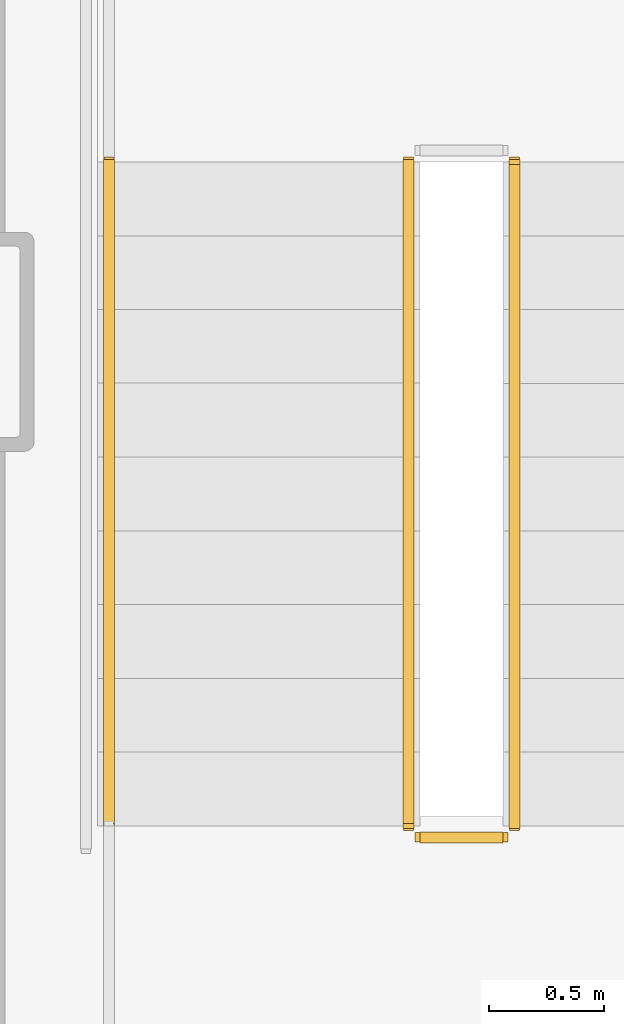
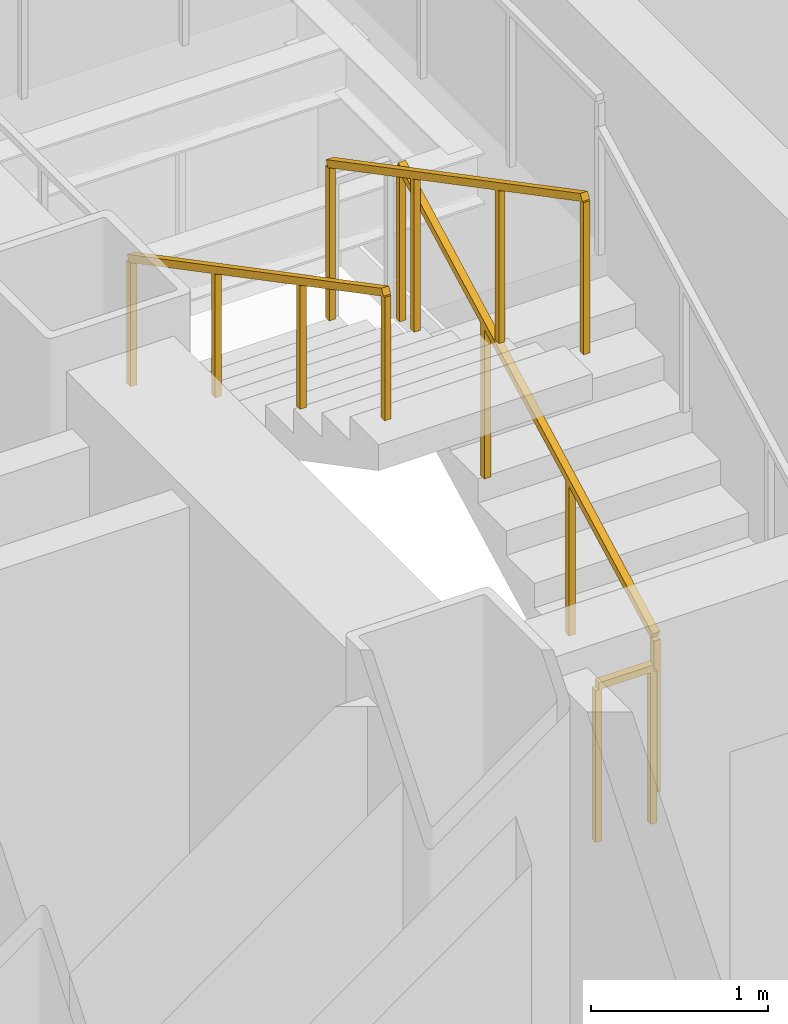
# One storey, part 10 of 13: 4 railings.
"""IFC4 building model written with IfcOpenShell, lengths in metres."""

from ifc_helpers import new_model, si_unit, direction, frame, origin, origin_2d, place, context, subcontext, project, spatial, rectangle, extrude, material, layer, layer_set, type_object, element, save


model = new_model("IFC4")

# Units and contexts
model_context = context("Model", 3, precision=1e-05, world=origin(), true_north=direction((0.0, 1.0)))
body_context = subcontext(model_context, "Body", "Model", "MODEL_VIEW")
ifc_project = project(units=[si_unit("LENGTHUNIT", "METRE"), si_unit("AREAUNIT", "SQUARE_METRE"), si_unit("VOLUMEUNIT", "CUBIC_METRE"), si_unit("PLANEANGLEUNIT", "RADIAN"), si_unit("MASSUNIT", "GRAM", prefix="KILO")], contexts=[model_context])

# Site, building, storey
site_placement = place(None, origin())
site = spatial("IfcSite", under=ifc_project, at=site_placement, CompositionType="ELEMENT")
building_placement = place(site_placement, origin())
building = spatial("IfcBuilding", under=site, at=building_placement, Name="Rocaltana Carrier Exchange", CompositionType="ELEMENT")
storey_placement = place(building_placement, frame((0.0, 0.0, 66.39990234375)))
storey = spatial("IfcBuildingStorey", under=building, at=storey_placement, Name="L20", CompositionType="ELEMENT", Elevation=66.39990234375)

# Railings
ifc_material_1 = material(Name="Brushed Architectural Stainless Tube", Category="steel")
ifc_layer_1 = layer(ifc_material_1, 0.048095703125)
ifc_layer_set_1 = layer_set([ifc_layer_1], Name="Brushed Architectural Stainless Tube")
railing_type_1 = type_object("IfcRailingType", Name="Stair Wall Handrail 920", PredefinedType="HANDRAIL", material=ifc_layer_set_1)
railing_1_placement = place(storey_placement, frame((-5.25, 0.780029296875, 1.84814453125)))
element("IfcRailing", 1, at=railing_1_placement, inside=storey, type_object=railing_type_1, Name="L20 ST-1 stair handrail 2", PredefinedType="HANDRAIL", context=body_context, shape_type="SweptSolid", body=[
    extrude(rectangle(XDim=0.048095703125, YDim=0.048095703125, at=origin_2d()), frame((0.0, 0.0, 0.8759765625), z_axis=(0.0, -0.885411030485, 0.464808893091), x_axis=(1.0, 0.0, 0.0)), (0.0, 0.0, 1.0), 3.2529296875),
    extrude(rectangle(XDim=0.0419921875, YDim=0.0419921875, at=origin_2d()), origin(), (0.0, 0.0, 1.0), 0.851806640625),
    extrude(rectangle(XDim=0.0419921875, YDim=0.0419921875, at=origin_2d()), frame((0.0, -0.9599609375, 0.50390625)), (0.0, 0.0, 1.0), 0.851806640625),
    extrude(rectangle(XDim=0.0419921875, YDim=0.0419921875, at=origin_2d()), frame((0.0, -1.920166015625, 1.008056640625)), (0.0, 0.0, 1.0), 0.851806640625),
    extrude(rectangle(XDim=0.0419921875, YDim=0.0419921875, at=origin_2d()), frame((0.0, -2.880126953125, 1.511962890625)), (0.0, 0.0, 1.0), 0.851806640625),
])
ifc_material_2 = material(Name="Powder-Coated Aluminium 6063-T6", Category="aluminium")
ifc_layer_2 = layer(ifc_material_2, 0.048095703125)
ifc_layer_set_2 = layer_set([ifc_layer_2], Name="Powder-Coated Aluminium 6063-T6")
railing_type_2 = type_object("IfcRailingType", Name="Stair Well Guardrail 1100", PredefinedType="GUARDRAIL", material=ifc_layer_set_2)
railing_2_placement = place(storey_placement, frame((-3.489990234375, -2.10009765625, 0.168212890625)))
element("IfcRailing", 2, at=railing_2_placement, inside=storey, type_object=railing_type_2, Name="L20 ST-1 stair guard 1", PredefinedType="GUARDRAIL", context=body_context, shape_type="SweptSolid", body=[
    extrude(rectangle(XDim=0.048095703125, YDim=0.048095703125, at=origin_2d()), frame((0.0, 0.0, 1.076171875), z_axis=(0.0, 0.885411030485, 0.464808893091), x_axis=(-1.0, 0.0, 0.0)), (0.0, 0.0, 1.0), 3.2529296875),
    extrude(rectangle(XDim=0.0419921875, YDim=0.0419921875, at=origin_2d()), origin(), (0.0, 0.0, 1.0), 1.052001953125),
    extrude(rectangle(XDim=0.0419921875, YDim=0.0419921875, at=origin_2d()), frame((0.0, 0.9599609375, 0.50390625)), (0.0, 0.0, 1.0), 1.052001953125),
    extrude(rectangle(XDim=0.0419921875, YDim=0.0419921875, at=origin_2d()), frame((0.0, 1.920166015625, 1.008056640625)), (0.0, 0.0, 1.0), 1.052001953125),
    extrude(rectangle(XDim=0.0419921875, YDim=0.0419921875, at=origin_2d()), frame((0.0, 2.880126953125, 1.511962890625)), (0.0, 0.0, 1.0), 1.052001953125),
])
railing_3_placement = place(storey_placement, frame((-3.949951171875, 0.780029296875, 1.84814453125)))
element("IfcRailing", 3, at=railing_3_placement, inside=storey, type_object=railing_type_2, Name="L20 ST-1 stair guard 6", PredefinedType="GUARDRAIL", context=body_context, shape_type="SweptSolid", body=[
    extrude(rectangle(XDim=0.048095703125, YDim=0.048095703125, at=origin_2d()), frame((0.0, 0.0, 1.076171875), z_axis=(0.0, -0.885411030485, 0.464808893091), x_axis=(1.0, 0.0, 0.0)), (0.0, 0.0, 1.0), 3.2529296875),
    extrude(rectangle(XDim=0.0419921875, YDim=0.0419921875, at=origin_2d()), origin(), (0.0, 0.0, 1.0), 1.052001953125),
    extrude(rectangle(XDim=0.0419921875, YDim=0.0419921875, at=origin_2d()), frame((0.0, -0.9599609375, 0.50390625)), (0.0, 0.0, 1.0), 1.052001953125),
    extrude(rectangle(XDim=0.0419921875, YDim=0.0419921875, at=origin_2d()), frame((0.0, -1.920166015625, 1.008056640625)), (0.0, 0.0, 1.0), 1.052001953125),
    extrude(rectangle(XDim=0.0419921875, YDim=0.0419921875, at=origin_2d()), frame((0.0, -2.880126953125, 1.511962890625)), (0.0, 0.0, 1.0), 1.052001953125),
])
railing_4_placement = place(storey_placement, frame((-3.5400390625, -2.14990234375, 0.0)))
element("IfcRailing", 4, at=railing_4_placement, inside=storey, type_object=railing_type_2, Name="L20 ST-1 stair guard 7", PredefinedType="GUARDRAIL", context=body_context, shape_type="SweptSolid", body=[
    extrude(rectangle(XDim=0.048095703125, YDim=0.048095703125, at=origin_2d()), frame((0.0, 0.0, 1.076171875), z_axis=(-1.0, 0.0, 0.0), x_axis=(0.0, -1.0, 0.0)), (0.0, 0.0, 1.0), 0.35986328125),
    extrude(rectangle(XDim=0.0419921875, YDim=0.0419921875, at=origin_2d()), origin(), (0.0, 0.0, 1.0), 1.052001953125),
    extrude(rectangle(XDim=0.0419921875, YDim=0.0419921875, at=origin_2d()), frame((-0.35986328125, 0.0, 0.0)), (0.0, 0.0, 1.0), 1.052001953125),
])

save(model, "model.ifc")
